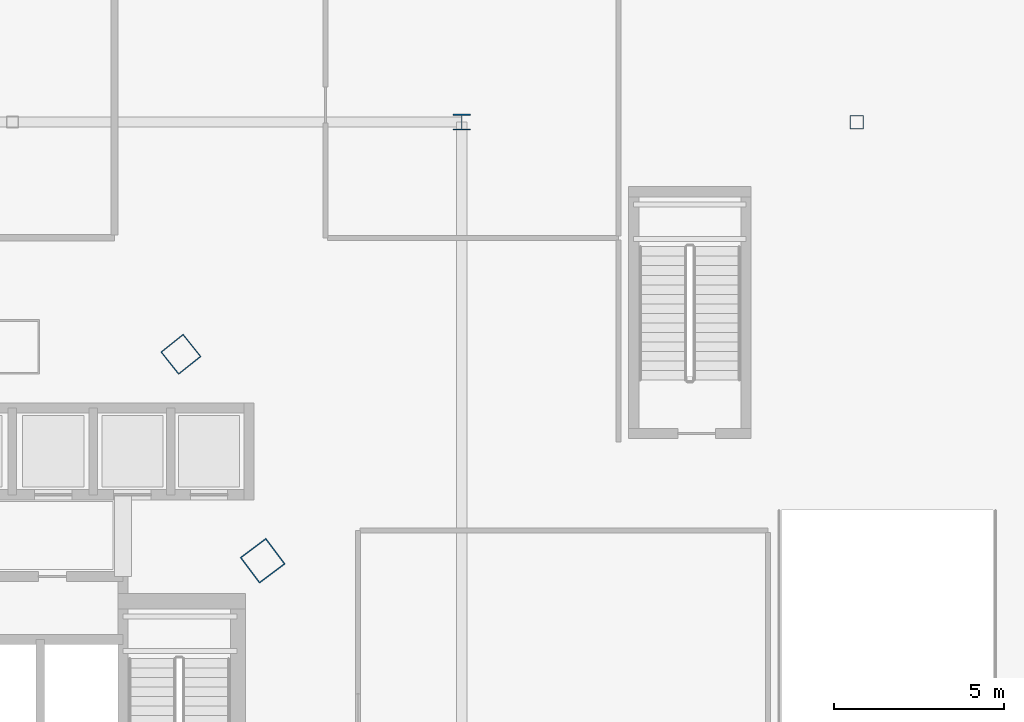
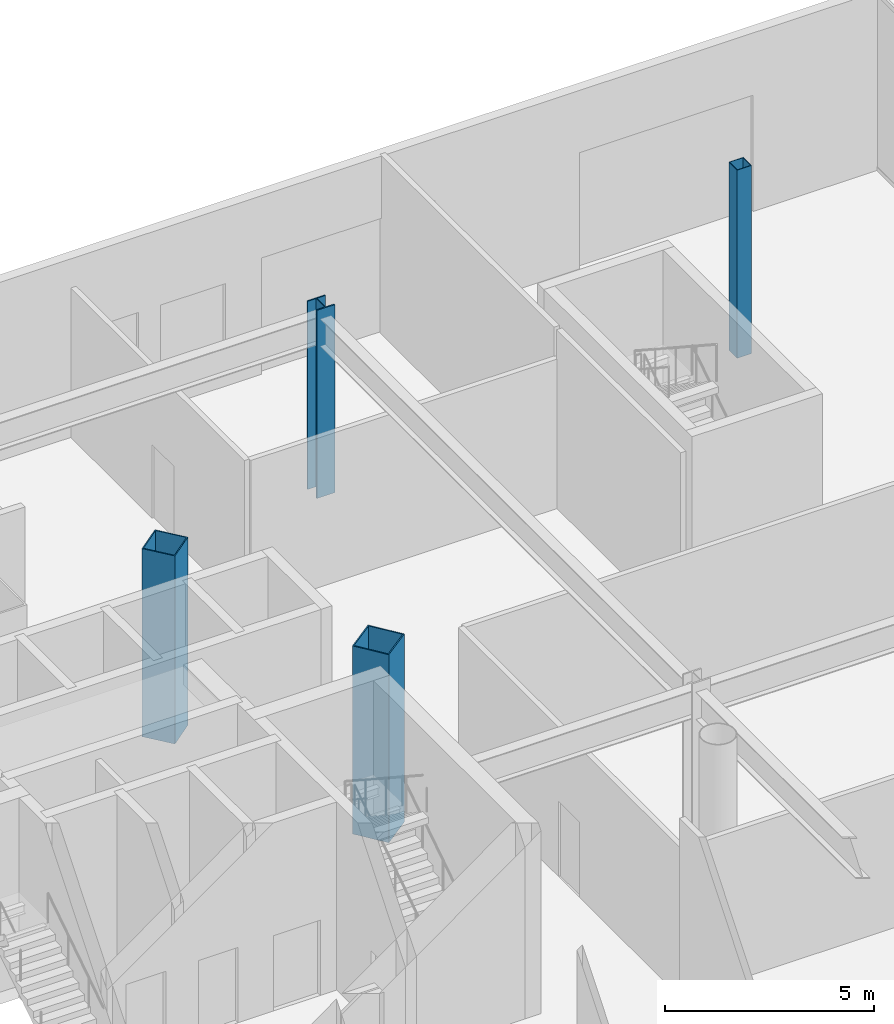
# One storey, part 4 of 38: 4 columns.
"""IFC4 building model written with IfcOpenShell, lengths in metres."""

from ifc_helpers import new_model, si_unit, direction, frame, origin, origin_2d, place, context, subcontext, project, spatial, hollow_rectangle, i_section, extrude, material, material_profile, profile_set, type_object, element, save


model = new_model("IFC4")

# Units and contexts
model_context = context("Model", 3, precision=1e-05, world=origin(), true_north=direction((0.0, 1.0)))
body_context = subcontext(model_context, "Body", "Model", "MODEL_VIEW")
ifc_project = project(units=[si_unit("LENGTHUNIT", "METRE"), si_unit("AREAUNIT", "SQUARE_METRE"), si_unit("VOLUMEUNIT", "CUBIC_METRE"), si_unit("PLANEANGLEUNIT", "RADIAN"), si_unit("MASSUNIT", "GRAM", prefix="KILO")], contexts=[model_context])

# Site, building, storey
site_placement = place(None, origin())
site = spatial("IfcSite", under=ifc_project, at=site_placement, CompositionType="ELEMENT")
building_placement = place(site_placement, origin())
building = spatial("IfcBuilding", under=site, at=building_placement, Name="Orvanel Arch Residences", CompositionType="ELEMENT")
storey_placement = place(building_placement, origin())
storey = spatial("IfcBuildingStorey", under=building, at=storey_placement, Name="L00", CompositionType="ELEMENT", Elevation=0.0)

# Columns
ifc_material_1 = material(Name="Structural steel AS/NZS 1163 C450L0 (Grade 450)", Category="steel")
ifc_material_profile_1 = material_profile(ifc_material_1, hollow_rectangle(XDim=0.39990234375, YDim=0.39990234375, WallThickness=0.01611328125, at=origin_2d()), Name="SHS400x400x16")
ifc_profile_set_1 = profile_set([ifc_material_profile_1], Name="Structural steel AS/NZS 1163 C450L0 (Grade 450)")
column_type_1 = type_object("IfcColumnType", Name="OC-400SHS", PredefinedType="COLUMN", material=ifc_profile_set_1)
column_1_placement = place(storey_placement, frame((57.800048828125, 48.0, 0.0), z_axis=(0.0, 0.0, 1.0), x_axis=(1.0, 0.0, 0.0)))
element("IfcColumn", 1, at=column_1_placement, inside=storey, type_object=column_type_1, Name="L00 Auxiliary Podium Column 06", PredefinedType="COLUMN", context=body_context, shape_type="SweptSolid", body=[
    extrude(hollow_rectangle(XDim=0.39990234375, YDim=0.39990234375, WallThickness=0.01611328125, at=origin_2d()), origin(), (0.0, 0.0, 1.0), 5.5),
])
ifc_material_2 = material(Name="Structural steel AS/NZS 3679.1 Grade 300 (300 MPa)", Category="steel")
ifc_material_profile_2 = material_profile(ifc_material_2, i_section(OverallWidth=0.5, OverallDepth=0.47998046875, WebThickness=0.028076171875, FlangeThickness=0.0400390625, at=origin_2d()), Name="500WC440")
ifc_profile_set_2 = profile_set([ifc_material_profile_2], Name="Structural steel AS/NZS 3679.1 Grade 300 (300 MPa)")
column_type_2 = type_object("IfcColumnType", Name="SC-500WC", PredefinedType="COLUMN", material=ifc_profile_set_2)
column_2_placement = place(storey_placement, frame((46.199951171875, 48.0, 0.0), z_axis=(0.0, 0.0, 1.0), x_axis=(1.0, 0.0, 0.0)))
element("IfcColumn", 2, at=column_2_placement, inside=storey, type_object=column_type_2, Name="L00 Podium Grid Column 11", PredefinedType="COLUMN", context=body_context, shape_type="SweptSolid", body=[
    extrude(i_section(OverallWidth=0.5, OverallDepth=0.47998046875, WebThickness=0.028076171875, FlangeThickness=0.0400390625, at=origin_2d()), origin(), (0.0, 0.0, 1.0), 5.5),
])
ifc_material_3 = material(Name="Structural steel AS/NZS 3678 Grade 350", Category="steel")
ifc_material_profile_3 = material_profile(ifc_material_3, hollow_rectangle(XDim=0.85009765625, YDim=0.85009765625, WallThickness=0.028076171875, at=origin_2d()), Name="BOX850x850x28")
ifc_profile_set_3 = profile_set([ifc_material_profile_3], Name="Structural steel AS/NZS 3678 Grade 350")
column_type_3 = type_object("IfcColumnType", Name="TC-850", PredefinedType="COLUMN", material=ifc_profile_set_3)
column_3_placement = place(storey_placement, frame((37.949951171875, 41.177978515625, 0.0), z_axis=(0.0, 0.0, 1.0), x_axis=(-0.623879596709, 0.781520472419, 0.0)))
element("IfcColumn", 3, at=column_3_placement, inside=storey, type_object=column_type_3, Name="L00 Mid-Rise Buttress Tube Column 06", PredefinedType="COLUMN", context=body_context, shape_type="SweptSolid", body=[
    extrude(hollow_rectangle(XDim=0.85009765625, YDim=0.85009765625, WallThickness=0.028076171875, at=origin_2d()), origin(), (0.0, 0.0, 1.0), 5.5),
])
ifc_material_profile_4 = material_profile(ifc_material_3, hollow_rectangle(XDim=0.949951171875, YDim=0.949951171875, WallThickness=0.031982421875, at=origin_2d()), Name="BOX950x950x32")
ifc_profile_set_4 = profile_set([ifc_material_profile_4], Name="Structural steel AS/NZS 3678 Grade 350")
column_type_4 = type_object("IfcColumnType", Name="TC-950", PredefinedType="COLUMN", material=ifc_profile_set_4)
column_4_placement = place(storey_placement, frame((40.35205078125, 35.113037109375, 0.0), z_axis=(0.0, 0.0, 1.0), x_axis=(-0.600420225326, 0.799684658487, 0.0)))
element("IfcColumn", 4, at=column_4_placement, inside=storey, type_object=column_type_4, Name="L00 High-Rise Tube Column 09", PredefinedType="COLUMN", context=body_context, shape_type="SweptSolid", body=[
    extrude(hollow_rectangle(XDim=0.949951171875, YDim=0.949951171875, WallThickness=0.031982421875, at=origin_2d()), origin(), (0.0, 0.0, 1.0), 5.5),
])

save(model, "model.ifc")
